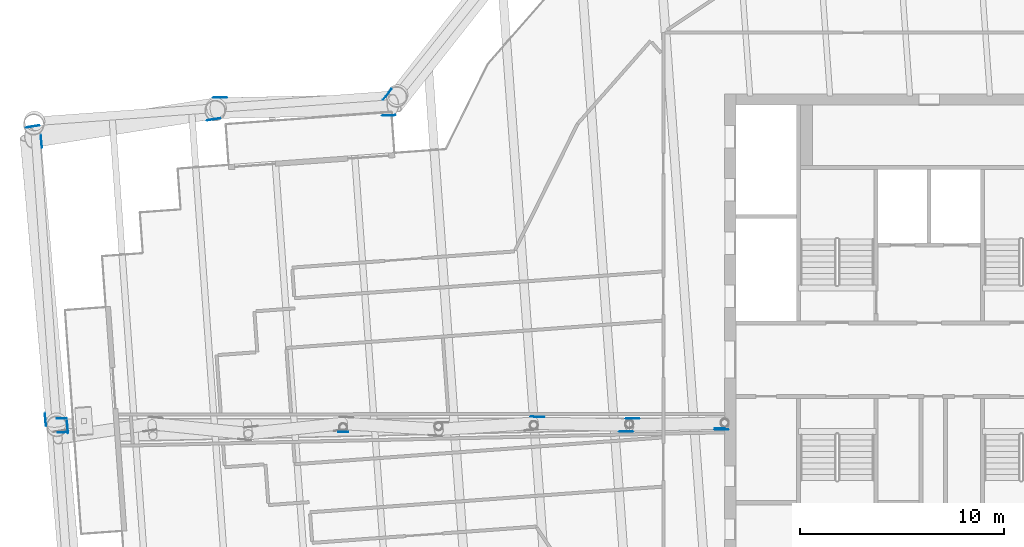
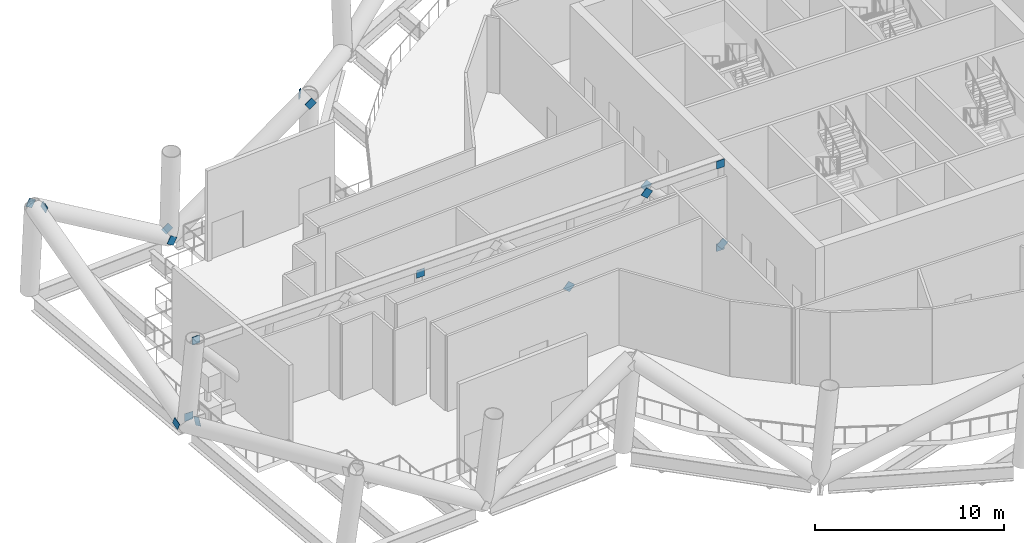
# One storey, part 19 of 33: 17 discrete accessories.
"""IFC4 building model written with IfcOpenShell, lengths in metres."""

from ifc_helpers import new_model, si_unit, direction, frame, origin, origin_2d, place, context, subcontext, project, spatial, rectangle, extrude, material, material_profile, profile_set, type_object, element, save


model = new_model("IFC4")

# Units and contexts
model_context = context("Model", 3, precision=1e-05, world=origin(), true_north=direction((0.0, 1.0)))
body_context = subcontext(model_context, "Body", "Model", "MODEL_VIEW")
ifc_project = project(units=[si_unit("LENGTHUNIT", "METRE"), si_unit("AREAUNIT", "SQUARE_METRE"), si_unit("VOLUMEUNIT", "CUBIC_METRE"), si_unit("PLANEANGLEUNIT", "RADIAN"), si_unit("MASSUNIT", "GRAM", prefix="KILO")], contexts=[model_context])

# Site, building, storey
site_placement = place(None, origin())
site = spatial("IfcSite", under=ifc_project, at=site_placement, CompositionType="ELEMENT")
building_placement = place(site_placement, origin())
building = spatial("IfcBuilding", under=site, at=building_placement, Name="Tarsis Ring Headquarters", CompositionType="ELEMENT")
storey_placement = place(building_placement, frame((0.0, 0.0, 302.0)))
storey = spatial("IfcBuildingStorey", under=building, at=storey_placement, Name="L71", CompositionType="ELEMENT", Elevation=302.0)

# Discrete accessories
ifc_material = material(Name="Structural steel S355", Category="steel")
ifc_material_profile = material_profile(ifc_material, rectangle(XDim=0.02490234375, YDim=0.5, at=origin_2d()), Name="PL 25x500")
ifc_profile_set = profile_set([ifc_material_profile], Name="Structural steel S355")
discrete_accessory_type_1 = type_object("IfcDiscreteAccessoryType", Name="Gusset plate Belt truss 25", PredefinedType="BRACKET", material=ifc_profile_set)
discrete_accessory_1_placement = place(storey_placement, frame((-26.6435546875, 12.794921875, 6.0), z_axis=(0.558671209772, 0.712012783084, -0.425351943804), x_axis=(-0.786730094917, 0.617297138947, 0.0)))
element("IfcDiscreteAccessory", 1, at=discrete_accessory_1_placement, inside=storey, type_object=discrete_accessory_type_1, Name="Gusset plate GP4", PredefinedType="BRACKET", context=body_context, shape_type="SweptSolid", body=[
    extrude(rectangle(XDim=0.02490234375, YDim=0.5, at=origin_2d()), origin(), (0.0, 0.0, 1.0), 0.5),
])
discrete_accessory_2_placement = place(storey_placement, frame((-34.892333984375, 12.822509765625, 0.0), z_axis=(0.821504734863, 0.016117512634, 0.569973855877), x_axis=(-0.019615725668, 0.999807593143, 0.0)))
element("IfcDiscreteAccessory", 2, at=discrete_accessory_2_placement, inside=storey, type_object=discrete_accessory_type_1, Name="Gusset plate GP4", PredefinedType="BRACKET", context=body_context, shape_type="SweptSolid", body=[
    extrude(rectangle(XDim=0.02490234375, YDim=0.5, at=origin_2d()), origin(), (0.0, 0.0, 1.0), 0.499755859375),
])
for number, where, z_axis, x_axis, name in (
    (3, (-26.2236328125, 11.953369140625, 6.0), (-0.821656875149, -0.016599128791, -0.569740685263), (0.020197899023, -0.99979600163, 0.0), "Gusset plate GP4"),
    (4, (-34.800537109375, 11.787841796875, 0.0), (-0.827162834027, -0.131349942357, 0.546396228617), (0.156830731178, -0.987625496713, 0.0), "Gusset plate GP4"),
    (5, (-44.046875, 11.3740234375, 6.0), (0.827162834027, 0.131349942357, -0.546396228617), (-0.156830731178, 0.987625496713, 0.0), "Gusset plate GP4"),
):
    element("IfcDiscreteAccessory", number, at=place(storey_placement, frame(where, z_axis=z_axis, x_axis=x_axis)), inside=storey, type_object=discrete_accessory_type_1, Name=name, PredefinedType="BRACKET", context=body_context, shape_type="SweptSolid", body=[
        extrude(rectangle(XDim=0.02490234375, YDim=0.5, at=origin_2d()), origin(), (0.0, 0.0, 1.0), 0.5),
    ])
discrete_accessory_3_placement = place(storey_placement, frame((-43.20556640625, -3.15234375, 0.0), z_axis=(-0.083941437658, 0.91554730841, 0.393353481118), x_axis=(-0.995823295966, -0.091301496219, 0.0)))
element("IfcDiscreteAccessory", 6, at=discrete_accessory_3_placement, inside=storey, type_object=discrete_accessory_type_1, Name="Gusset plate GP4", PredefinedType="BRACKET", context=body_context, shape_type="SweptSolid", body=[
    extrude(rectangle(XDim=0.02490234375, YDim=0.5, at=origin_2d()), origin(), (0.0, 0.0, 1.0), 0.500244140625),
])
for number, where, z_axis, x_axis, name in (
    (7, (-43.44677734375, 10.907470703125, 6.0), (0.083494123025, -0.915505734921, -0.393545398585), (0.995867043915, 0.090823074405, 0.0), "Gusset plate GP4"),
    (8, (-42.1689453125, -3.057861328125, 0.0), (0.08448544796, -0.929339927562, 0.359429420224), (0.995893206468, 0.090535746043, 0.0), "Gusset plate GP4"),
):
    element("IfcDiscreteAccessory", number, at=place(storey_placement, frame(where, z_axis=z_axis, x_axis=x_axis)), inside=storey, type_object=discrete_accessory_type_1, Name=name, PredefinedType="BRACKET", context=body_context, shape_type="SweptSolid", body=[
        extrude(rectangle(XDim=0.02490234375, YDim=0.5, at=origin_2d()), origin(), (0.0, 0.0, 1.0), 0.5),
    ])
discrete_accessory_type_2 = type_object("IfcDiscreteAccessoryType", Name="Gusset plate Outrigger 25", PredefinedType="BRACKET", material=ifc_profile_set)
for number, where, z_axis, x_axis, name in (
    (9, (-9.992919921875, -3.417236328125, 0.25390625), (-0.658088283874, -0.014645881689, 0.752798318793), (0.022249683497, -0.99975244515, 0.0), "Gusset plate GP1"),
    (10, (-14.668212890625, -2.886474609375, 5.5859375), (0.658330194886, 0.014651265465, -0.752586669376), (-0.022249683497, 0.99975244515, 0.0), "Gusset plate GP1"),
):
    element("IfcDiscreteAccessory", number, at=place(storey_placement, frame(where, z_axis=z_axis, x_axis=x_axis)), inside=storey, type_object=discrete_accessory_type_2, Name=name, PredefinedType="BRACKET", context=body_context, shape_type="SweptSolid", body=[
        extrude(rectangle(XDim=0.02490234375, YDim=0.5, at=origin_2d()), origin(), (0.0, 0.0, 1.0), 0.5),
    ])
discrete_accessory_4_placement = place(storey_placement, frame((-14.66748046875, -3.52099609375, 5.5859375), z_axis=(-0.659380473396, 0.013187609468, -0.751693739671), x_axis=(-0.0199960012, -0.99980005998, 0.0)))
element("IfcDiscreteAccessory", 11, at=discrete_accessory_4_placement, inside=storey, type_object=discrete_accessory_type_2, Name="Gusset plate GP1", PredefinedType="BRACKET", context=body_context, shape_type="SweptSolid", body=[
    extrude(rectangle(XDim=0.02490234375, YDim=0.5, at=origin_2d()), origin(), (0.0, 0.0, 1.0), 0.499755859375),
])
discrete_accessory_5_placement = place(storey_placement, frame((-19.33203125, -2.79345703125, 0.25390625), z_axis=(0.659138436693, -0.013182768734, 0.751906068524), x_axis=(0.0199960012, 0.99980005998, 0.0)))
element("IfcDiscreteAccessory", 12, at=discrete_accessory_5_placement, inside=storey, type_object=discrete_accessory_type_2, Name="Gusset plate GP1", PredefinedType="BRACKET", context=body_context, shape_type="SweptSolid", body=[
    extrude(rectangle(XDim=0.02490234375, YDim=0.5, at=origin_2d()), origin(), (0.0, 0.0, 1.0), 0.5),
])
discrete_accessory_type_3 = type_object("IfcDiscreteAccessoryType", Name="Gusset plate Outrigger chord 25", PredefinedType="BRACKET", material=ifc_profile_set)
for number, where, z_axis, x_axis, name in (
    (13, (-9.999755859375, -3.366455078125, 0.25390625), (-0.999998927118, -0.001464842178, 0.0), (0.001464842178, -0.999998927118, 0.0), "Gusset plate GP3"),
    (14, (-42.684814453125, -2.87109375, 0.25390625), (0.999999523163, 0.000976562034, 0.0), (-0.000976562034, 0.999999523163, 0.0), "Gusset plate GP3"),
):
    element("IfcDiscreteAccessory", number, at=place(storey_placement, frame(where, z_axis=z_axis, x_axis=x_axis)), inside=storey, type_object=discrete_accessory_type_3, Name=name, PredefinedType="BRACKET", context=body_context, shape_type="SweptSolid", body=[
        extrude(rectangle(XDim=0.02490234375, YDim=0.5, at=origin_2d()), origin(), (0.0, 0.0, 1.0), 0.5),
    ])
discrete_accessory_6_placement = place(storey_placement, frame((-9.994140625, -3.366455078125, 5.5859375), z_axis=(-0.999758452821, -0.021978080301, 0.0), x_axis=(0.021978080301, -0.999758452821, 0.0)))
element("IfcDiscreteAccessory", 15, at=discrete_accessory_6_placement, inside=storey, type_object=discrete_accessory_type_3, Name="Gusset plate GP3", PredefinedType="BRACKET", context=body_context, shape_type="SweptSolid", body=[
    extrude(rectangle(XDim=0.02490234375, YDim=0.5, at=origin_2d()), origin(), (0.0, 0.0, 1.0), 0.499755859375),
])
for number, where, z_axis, x_axis, name in (
    (16, (-42.634033203125, -3.559326171875, 5.5859375), (0.999747602217, 0.022466238252, 0.0), (-0.022466238252, 0.999747602217, 0.0), "Gusset plate GP3"),
    (17, (-28.656005859375, -3.53369140625, 5.33203125), (0.0, 0.0, -1.0), (0.022234412753, -0.999752784887, 0.0), "Gusset plate GP3"),
):
    element("IfcDiscreteAccessory", number, at=place(storey_placement, frame(where, z_axis=z_axis, x_axis=x_axis)), inside=storey, type_object=discrete_accessory_type_3, Name=name, PredefinedType="BRACKET", context=body_context, shape_type="SweptSolid", body=[
        extrude(rectangle(XDim=0.02490234375, YDim=0.5, at=origin_2d()), origin(), (0.0, 0.0, 1.0), 0.5),
    ])

save(model, "model.ifc")
